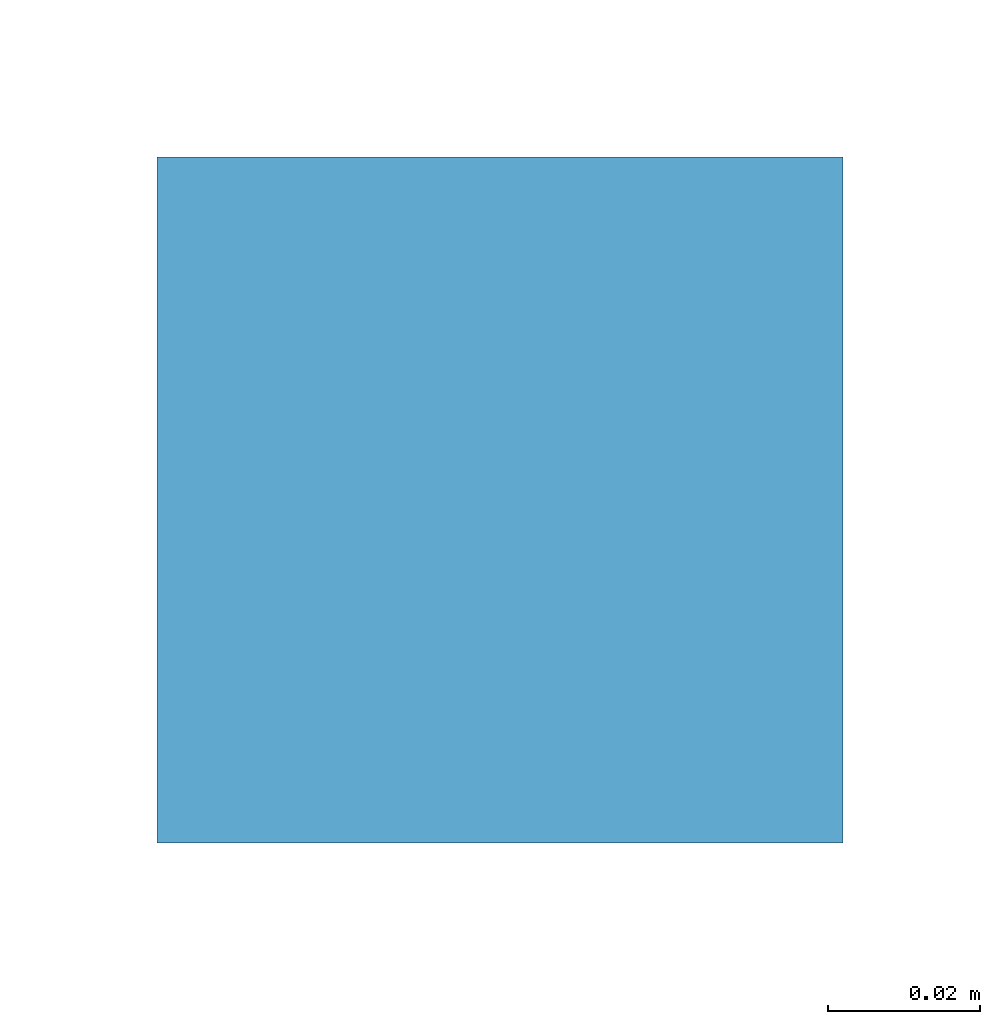
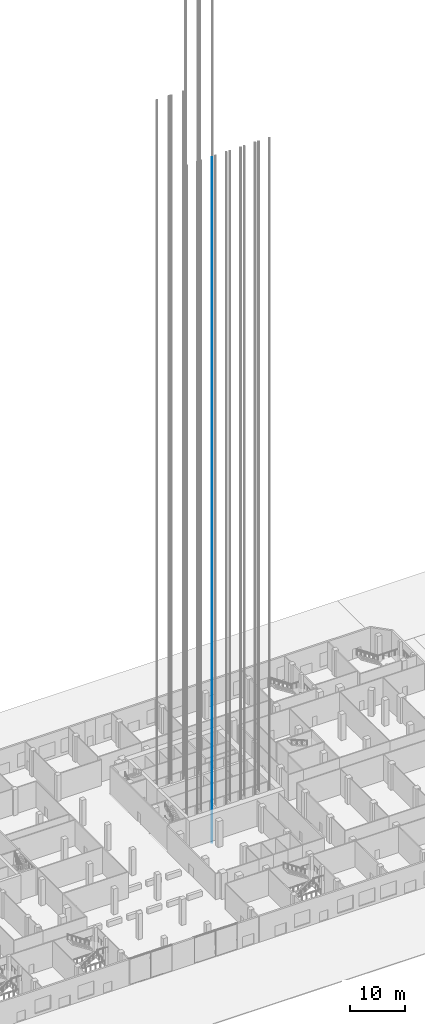
# One storey, part 15 of 55: 1 member.
"""IFC4 building model written with IfcOpenShell, lengths in metres."""

from ifc_helpers import new_model, si_unit, direction, frame, origin, origin_2d, place, context, subcontext, project, spatial, rectangle, extrude, material, material_profile, profile_set, type_object, element, save


model = new_model("IFC4")

# Units and contexts
model_context = context("Model", 3, precision=1e-05, world=origin(), true_north=direction((0.0, 1.0)))
body_context = subcontext(model_context, "Body", "Model", "MODEL_VIEW")
ifc_project = project(units=[si_unit("LENGTHUNIT", "METRE"), si_unit("AREAUNIT", "SQUARE_METRE"), si_unit("VOLUMEUNIT", "CUBIC_METRE"), si_unit("PLANEANGLEUNIT", "RADIAN"), si_unit("MASSUNIT", "GRAM", prefix="KILO")], contexts=[model_context])

# Site, building, storey
site_placement = place(None, origin())
site = spatial("IfcSite", under=ifc_project, at=site_placement, CompositionType="ELEMENT")
building_placement = place(site_placement, origin())
building = spatial("IfcBuilding", under=site, at=building_placement, Name="Cinnabar Reach Civic Tower", CompositionType="ELEMENT")
storey_placement = place(building_placement, origin())
storey = spatial("IfcBuildingStorey", under=building, at=storey_placement, Name="L00", CompositionType="ELEMENT", Elevation=0.0)

# Member
ifc_material = material(Name="Steel Q355B", Category="steel")
ifc_material_profile = material_profile(ifc_material, rectangle(XDim=0.09, YDim=0.09, at=origin_2d()), Name="T1 lift guide rail")
ifc_profile_set = profile_set([ifc_material_profile], Name="Steel Q355B")
member_type = type_object("IfcMemberType", Name="T1 lift guide rail", PredefinedType="USERDEFINED", material=ifc_profile_set)
member_placement = place(storey_placement, frame((10.13, 22.5, -2.5), z_axis=(0.0, 0.0, 1.0), x_axis=(1.0, 0.0, 0.0)))
element("IfcMember", 1, at=member_placement, inside=storey, type_object=member_type, Name="T1-LR2 guide rail 2", ObjectType="GUIDE RAIL", PredefinedType="USERDEFINED", context=body_context, shape_type="SweptSolid", body=[
    extrude(rectangle(XDim=0.09, YDim=0.09, at=origin_2d()), origin(), (0.0, 0.0, 1.0), 150.9),
])

save(model, "model.ifc")
